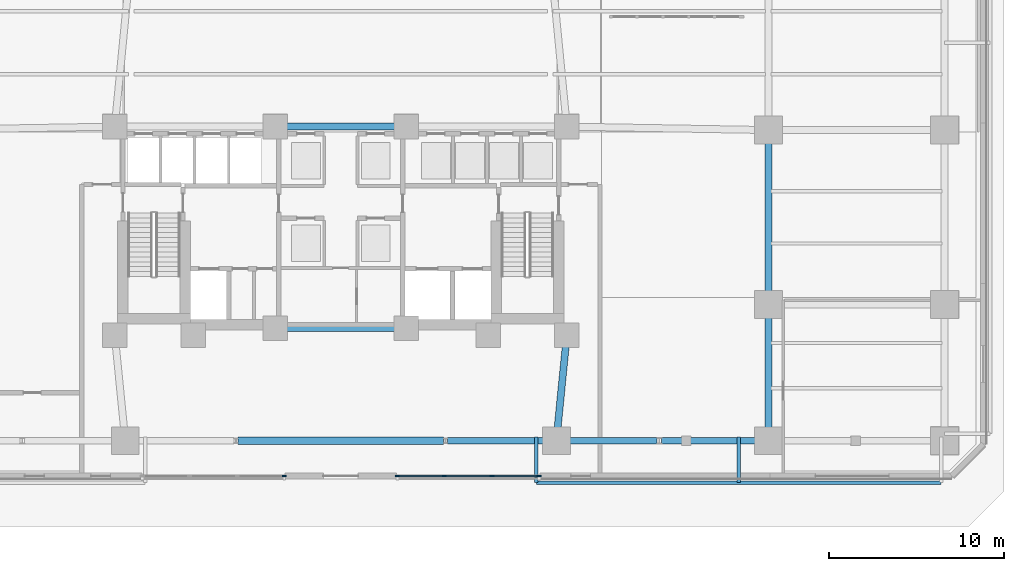
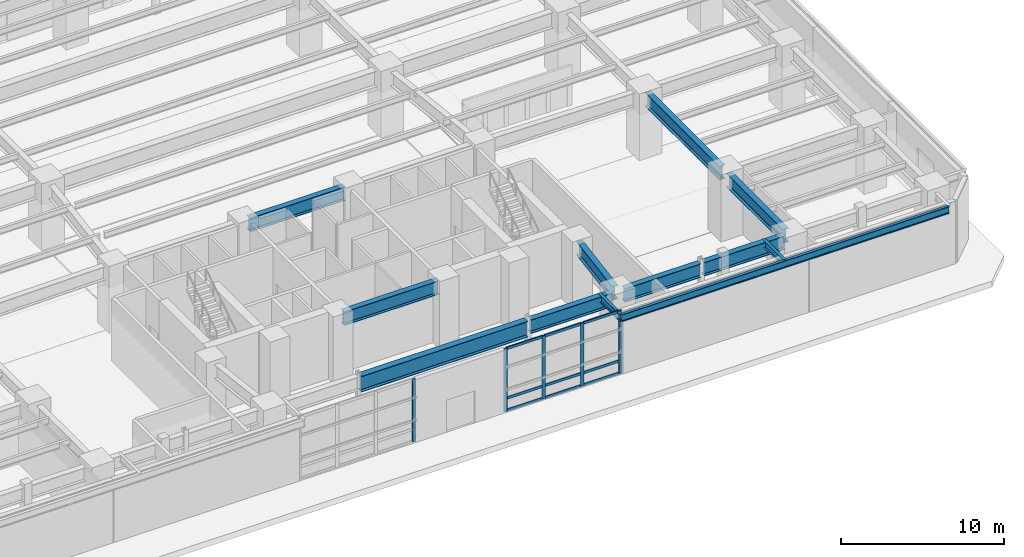
# One storey, part 8 of 26: 14 members, 12 beams, 2 elements without a shape of their own.
"""IFC4 building model written with IfcOpenShell, lengths in metres."""

from ifc_helpers import new_model, si_unit, direction, frame, origin, origin_2d, place, context, subcontext, project, spatial, rectangle, i_section, extrude, material, material_profile, profile_set, type_object, element, aggregate, save


model = new_model("IFC4")

# Units and contexts
model_context = context("Model", 3, precision=1e-05, world=origin(), true_north=direction((0.0, 1.0)))
body_context = subcontext(model_context, "Body", "Model", "MODEL_VIEW")
ifc_project = project(units=[si_unit("LENGTHUNIT", "METRE"), si_unit("AREAUNIT", "SQUARE_METRE"), si_unit("VOLUMEUNIT", "CUBIC_METRE"), si_unit("PLANEANGLEUNIT", "RADIAN"), si_unit("MASSUNIT", "GRAM", prefix="KILO")], contexts=[model_context])

# Site, building, storey
site_placement = place(None, origin())
site = spatial("IfcSite", under=ifc_project, at=site_placement, CompositionType="ELEMENT")
building_placement = place(site_placement, origin())
building = spatial("IfcBuilding", under=site, at=building_placement, Name="Quenlor Broadcast Tower", CompositionType="ELEMENT")
storey_placement = place(building_placement, origin())
storey = spatial("IfcBuildingStorey", under=building, at=storey_placement, Name="L00", CompositionType="ELEMENT", Elevation=0.0)

# Curtain wall, members
ifc_material_1 = material(Name="Architectural Terracotta and Low-E Glazing", Category="masonry")
curtain_wall_type = type_object("IfcCurtainWallType", Name="Station Concourse and Crown Terracotta Curtain Wall", PredefinedType="NOTDEFINED", material=ifc_material_1)
curtain_wall_1_placement = place(storey_placement, origin())
curtain_wall_1 = element("IfcCurtainWall", 1, at=curtain_wall_1_placement, inside=storey, type_object=curtain_wall_type, Name="L00 Curtain Wall CW6 (L00-S-MID)", PredefinedType="NOTDEFINED")
ifc_material_2 = material(Name="Aluminium 6063-T6", Category="aluminium")
ifc_material_profile_1 = material_profile(ifc_material_2, rectangle(XDim=0.08203125, YDim=0.239990234375, at=origin_2d()))
ifc_profile_set_1 = profile_set([ifc_material_profile_1], Name="Aluminium 6063-T6 MULL82x240")
member_type_1 = type_object("IfcMemberType", Name="CW6 Aluminium Mullion MULL_CW6", PredefinedType="MULLION", material=ifc_profile_set_1)
member_1_placement = place(storey_placement, frame((11.35888671875, -24.820068359375, 0.0), z_axis=(0.0, 0.0, 1.0), x_axis=(0.0, -1.0, 0.0)))
member_1 = element("IfcMember", 2, at=member_1_placement, type_object=member_type_1, Name="CW6 mullion 1", PredefinedType="MULLION", context=body_context, shape_type="SweptSolid", body=[
    extrude(rectangle(XDim=0.08203125, YDim=0.239990234375, at=origin_2d()), origin(), (0.0, 0.0, 1.0), 4.699951171875),
])
member_2_placement = place(storey_placement, frame((8.666748046875, -24.820068359375, 0.0), z_axis=(0.0, 0.0, 1.0), x_axis=(0.0, -1.0, 0.0)))
member_2 = element("IfcMember", 3, at=member_2_placement, type_object=member_type_1, Name="CW6 mullion 2", PredefinedType="MULLION", context=body_context, shape_type="SweptSolid", body=[
    extrude(rectangle(XDim=0.08203125, YDim=0.239990234375, at=origin_2d()), origin(), (0.0, 0.0, 1.0), 4.699951171875),
])
member_3_placement = place(storey_placement, frame((5.933349609375, -24.820068359375, 0.0), z_axis=(0.0, 0.0, 1.0), x_axis=(0.0, -1.0, 0.0)))
member_3 = element("IfcMember", 4, at=member_3_placement, type_object=member_type_1, Name="CW6 mullion 3", PredefinedType="MULLION", context=body_context, shape_type="SweptSolid", body=[
    extrude(rectangle(XDim=0.08203125, YDim=0.239990234375, at=origin_2d()), origin(), (0.0, 0.0, 1.0), 4.699951171875),
])
member_4_placement = place(storey_placement, frame((3.240966796875, -24.820068359375, 0.0), z_axis=(0.0, 0.0, 1.0), x_axis=(0.0, -1.0, 0.0)))
member_4 = element("IfcMember", 5, at=member_4_placement, type_object=member_type_1, Name="CW6 mullion 4", PredefinedType="MULLION", context=body_context, shape_type="SweptSolid", body=[
    extrude(rectangle(XDim=0.08203125, YDim=0.239990234375, at=origin_2d()), origin(), (0.0, 0.0, 1.0), 4.699951171875),
])

# Curtain wall, member
curtain_wall_2_placement = place(storey_placement, origin())
curtain_wall_2 = element("IfcCurtainWall", 6, at=curtain_wall_2_placement, inside=storey, type_object=curtain_wall_type, Name="L00 Curtain Wall CW6 (L00-S-MID2)", PredefinedType="NOTDEFINED")
member_5_placement = place(storey_placement, frame((-3.240966796875, -24.820068359375, 0.0), z_axis=(0.0, 0.0, 1.0), x_axis=(0.0, -1.0, 0.0)))
member_5 = element("IfcMember", 7, at=member_5_placement, type_object=member_type_1, Name="CW6 mullion 1", PredefinedType="MULLION", context=body_context, shape_type="SweptSolid", body=[
    extrude(rectangle(XDim=0.08203125, YDim=0.239990234375, at=origin_2d()), origin(), (0.0, 0.0, 1.0), 4.699951171875),
])
aggregate(curtain_wall_2, [member_5])

# Member
ifc_material_3 = material(Name="Aluminium 6063-T6", Category="aluminium")
ifc_material_profile_2 = material_profile(ifc_material_3, rectangle(XDim=0.08203125, YDim=0.195068359375, at=origin_2d()))
ifc_profile_set_2 = profile_set([ifc_material_profile_2], Name="Aluminium 6063-T6 TRAN82x195")
member_type_2 = type_object("IfcMemberType", Name="CW6 Aluminium Transom TRAN_CW6", PredefinedType="USERDEFINED", material=ifc_profile_set_2)
member_6_placement = place(storey_placement, frame((11.318115234375, -24.820068359375, 0.041015625), z_axis=(-1.0, 0.0, 0.0), x_axis=(0.0, -1.0, 0.0)))
member_6 = element("IfcMember", 8, at=member_6_placement, type_object=member_type_2, Name="CW6 transom 1.1", ObjectType="TRANSOM", PredefinedType="USERDEFINED", context=body_context, shape_type="SweptSolid", body=[
    extrude(rectangle(XDim=0.08203125, YDim=0.195068359375, at=origin_2d()), origin(), (0.0, 0.0, 1.0), 2.6103515625),
])

member_7_placement = place(storey_placement, frame((11.318115234375, -24.820068359375, 0.949951171875), z_axis=(-1.0, 0.0, 0.0), x_axis=(0.0, -1.0, 0.0)))
member_7 = element("IfcMember", 9, at=member_7_placement, type_object=member_type_2, Name="CW6 transom 1.2", ObjectType="TRANSOM", PredefinedType="USERDEFINED", context=body_context, shape_type="SweptSolid", body=[
    extrude(rectangle(XDim=0.08203125, YDim=0.195068359375, at=origin_2d()), origin(), (0.0, 0.0, 1.0), 2.6103515625),
])

member_8_placement = place(storey_placement, frame((11.318115234375, -24.820068359375, 4.658935546875), z_axis=(-1.0, 0.0, 0.0), x_axis=(0.0, -1.0, 0.0)))
member_8 = element("IfcMember", 10, at=member_8_placement, type_object=member_type_2, Name="CW6 transom 1.3", ObjectType="TRANSOM", PredefinedType="USERDEFINED", context=body_context, shape_type="SweptSolid", body=[
    extrude(rectangle(XDim=0.08203125, YDim=0.195068359375, at=origin_2d()), origin(), (0.0, 0.0, 1.0), 2.6103515625),
])

member_9_placement = place(storey_placement, frame((8.625732421875, -24.820068359375, 0.041015625), z_axis=(-1.0, 0.0, 0.0), x_axis=(0.0, -1.0, 0.0)))
member_9 = element("IfcMember", 11, at=member_9_placement, type_object=member_type_2, Name="CW6 transom 2.1", ObjectType="TRANSOM", PredefinedType="USERDEFINED", context=body_context, shape_type="SweptSolid", body=[
    extrude(rectangle(XDim=0.08203125, YDim=0.195068359375, at=origin_2d()), origin(), (0.0, 0.0, 1.0), 2.6513671875),
])

member_10_placement = place(storey_placement, frame((8.625732421875, -24.820068359375, 0.949951171875), z_axis=(-1.0, 0.0, 0.0), x_axis=(0.0, -1.0, 0.0)))
member_10 = element("IfcMember", 12, at=member_10_placement, type_object=member_type_2, Name="CW6 transom 2.2", ObjectType="TRANSOM", PredefinedType="USERDEFINED", context=body_context, shape_type="SweptSolid", body=[
    extrude(rectangle(XDim=0.08203125, YDim=0.195068359375, at=origin_2d()), origin(), (0.0, 0.0, 1.0), 2.6513671875),
])

member_11_placement = place(storey_placement, frame((8.625732421875, -24.820068359375, 4.658935546875), z_axis=(-1.0, 0.0, 0.0), x_axis=(0.0, -1.0, 0.0)))
member_11 = element("IfcMember", 13, at=member_11_placement, type_object=member_type_2, Name="CW6 transom 2.3", ObjectType="TRANSOM", PredefinedType="USERDEFINED", context=body_context, shape_type="SweptSolid", body=[
    extrude(rectangle(XDim=0.08203125, YDim=0.195068359375, at=origin_2d()), origin(), (0.0, 0.0, 1.0), 2.6513671875),
])

member_12_placement = place(storey_placement, frame((5.892333984375, -24.820068359375, 0.041015625), z_axis=(-1.0, 0.0, 0.0), x_axis=(0.0, -1.0, 0.0)))
member_12 = element("IfcMember", 14, at=member_12_placement, type_object=member_type_2, Name="CW6 transom 3.1", ObjectType="TRANSOM", PredefinedType="USERDEFINED", context=body_context, shape_type="SweptSolid", body=[
    extrude(rectangle(XDim=0.08203125, YDim=0.195068359375, at=origin_2d()), origin(), (0.0, 0.0, 1.0), 2.6103515625),
])

member_13_placement = place(storey_placement, frame((5.892333984375, -24.820068359375, 0.949951171875), z_axis=(-1.0, 0.0, 0.0), x_axis=(0.0, -1.0, 0.0)))
member_13 = element("IfcMember", 15, at=member_13_placement, type_object=member_type_2, Name="CW6 transom 3.2", ObjectType="TRANSOM", PredefinedType="USERDEFINED", context=body_context, shape_type="SweptSolid", body=[
    extrude(rectangle(XDim=0.08203125, YDim=0.195068359375, at=origin_2d()), origin(), (0.0, 0.0, 1.0), 2.6103515625),
])

member_14_placement = place(storey_placement, frame((5.892333984375, -24.820068359375, 4.658935546875), z_axis=(-1.0, 0.0, 0.0), x_axis=(0.0, -1.0, 0.0)))
member_14 = element("IfcMember", 16, at=member_14_placement, type_object=member_type_2, Name="CW6 transom 3.3", ObjectType="TRANSOM", PredefinedType="USERDEFINED", context=body_context, shape_type="SweptSolid", body=[
    extrude(rectangle(XDim=0.08203125, YDim=0.195068359375, at=origin_2d()), origin(), (0.0, 0.0, 1.0), 2.6103515625),
])

aggregate(curtain_wall_1, [member_1, member_2, member_3, member_4, member_6, member_7, member_8, member_9, member_10, member_11, member_12, member_13, member_14])

# Beams
ifc_material_4 = material(Name="Steel S355", Category="steel")
ifc_material_profile_3 = material_profile(ifc_material_4, i_section(OverallWidth=0.208984375, OverallDepth=0.532958984375, WebThickness=0.01025390625, FlangeThickness=0.015625, FilletRadius=0.013916015625, at=origin_2d()))
ifc_profile_set_3 = profile_set([ifc_material_profile_3], Name="Steel S355 530UB92.4")
beam_type_1 = type_object("IfcBeamType", Name="Perimeter Spandrel Beam Z1 Steel S355 530UB92.4", PredefinedType="SPANDREL", material=ifc_profile_set_3)
for number, where, z_axis, x_axis, name in (
    (17, (11.199951171875, -22.5849609375, 4.43359375), (0.0, -1.0, 0.0), (1.0, 0.0, 0.0), "L00 Podium Lattice Sill Tie SE2"),
    (18, (22.800048828125, -22.5849609375, 4.43359375), (0.0, -1.0, 0.0), (1.0, 0.0, 0.0), "L00 Podium Lattice Sill Tie SE3"),
):
    element("IfcBeam", number, at=place(storey_placement, frame(where, z_axis=z_axis, x_axis=x_axis)), inside=storey, type_object=beam_type_1, Name=name, PredefinedType="SPANDREL", context=body_context, shape_type="SweptSolid", body=[
        extrude(i_section(OverallWidth=0.208984375, OverallDepth=0.532958984375, WebThickness=0.01025390625, FlangeThickness=0.015625, FilletRadius=0.013916015625, at=origin_2d()), origin(), (0.0, 0.0, 1.0), 2.610107421875),
    ])
beam_1_placement = place(storey_placement, frame((34.3798828125, -25.215087890625, 4.43359375), z_axis=(-1.0, 0.0, 0.0), x_axis=(0.0, -1.0, 0.0)))
element("IfcBeam", 19, at=beam_1_placement, inside=storey, type_object=beam_type_1, Name="L00 Podium Lattice Sill Girder SE", PredefinedType="SPANDREL", context=body_context, shape_type="SweptSolid", body=[
    extrude(i_section(OverallWidth=0.208984375, OverallDepth=0.532958984375, WebThickness=0.01025390625, FlangeThickness=0.015625, FilletRadius=0.013916015625, at=origin_2d()), origin(), (0.0, 0.0, 1.0), 23.159912109375),
])
ifc_material_5 = material(Name="Steel S355", Category="steel")
ifc_material_profile_4 = material_profile(ifc_material_5, i_section(OverallWidth=0.39990234375, OverallDepth=1.02392578125, WebThickness=0.01611328125, FlangeThickness=0.031982421875, FilletRadius=0.01611328125, at=origin_2d()))
ifc_profile_set_4 = profile_set([ifc_material_profile_4], Name="Steel S355 1000WB322")
beam_type_2 = type_object("IfcBeamType", Name="Podium Concourse Girder Steel S355 1000WB322", PredefinedType="BEAM", material=ifc_profile_set_4)
beam_2_placement = place(storey_placement, frame((6.10791015625, -22.800048828125, 4.18798828125), z_axis=(1.0, 0.0, 0.0), x_axis=(0.0, 1.0, 0.0)))
element("IfcBeam", 20, at=beam_2_placement, inside=storey, type_object=beam_type_2, Name="L00 Podium Girder 6", PredefinedType="BEAM", context=body_context, shape_type="SweptSolid", body=[
    extrude(i_section(OverallWidth=0.39990234375, OverallDepth=1.02392578125, WebThickness=0.01611328125, FlangeThickness=0.031982421875, FilletRadius=0.01611328125, at=origin_2d()), origin(), (0.0, 0.0, 1.0), 5.822021484375),
])
beam_3_placement = place(storey_placement, frame((12.77001953125, -22.800048828125, 4.18798828125), z_axis=(1.0, 0.0, 0.0), x_axis=(0.0, 1.0, 0.0)))
element("IfcBeam", 21, at=beam_3_placement, inside=storey, type_object=beam_type_2, Name="L00 Podium Girder 7", PredefinedType="BEAM", context=body_context, shape_type="SweptSolid", body=[
    extrude(i_section(OverallWidth=0.39990234375, OverallDepth=1.02392578125, WebThickness=0.01611328125, FlangeThickness=0.031982421875, FilletRadius=0.01611328125, at=origin_2d()), origin(), (0.0, 0.0, 1.0), 5.345458984375),
])
beam_4_placement = place(storey_placement, frame((18.384521484375, -22.800048828125, 4.18798828125), z_axis=(1.0, 0.0, 0.0), x_axis=(0.0, 1.0, 0.0)))
element("IfcBeam", 22, at=beam_4_placement, inside=storey, type_object=beam_type_2, Name="L00 Podium Girder 8", PredefinedType="BEAM", context=body_context, shape_type="SweptSolid", body=[
    extrude(i_section(OverallWidth=0.39990234375, OverallDepth=1.02392578125, WebThickness=0.01611328125, FlangeThickness=0.031982421875, FilletRadius=0.01611328125, at=origin_2d()), origin(), (0.0, 0.0, 1.0), 5.695556640625),
])
beam_5_placement = place(storey_placement, frame((24.5, -22.3798828125, 4.18798828125), z_axis=(0.0, 1.0, 0.0), x_axis=(-1.0, 0.0, 0.0)))
element("IfcBeam", 23, at=beam_5_placement, inside=storey, type_object=beam_type_2, Name="L00 Podium Girder 44", PredefinedType="BEAM", context=body_context, shape_type="SweptSolid", body=[
    extrude(i_section(OverallWidth=0.39990234375, OverallDepth=1.02392578125, WebThickness=0.01611328125, FlangeThickness=0.031982421875, FilletRadius=0.01611328125, at=origin_2d()), origin(), (0.0, 0.0, 1.0), 6.9599609375),
])
beam_6_placement = place(storey_placement, frame((24.5, -14.580078125, 4.18798828125), z_axis=(0.0, 1.0, 0.0), x_axis=(-1.0, 0.0, 0.0)))
element("IfcBeam", 24, at=beam_6_placement, inside=storey, type_object=beam_type_2, Name="L00 Podium Girder 45", PredefinedType="BEAM", context=body_context, shape_type="SweptSolid", body=[
    extrude(i_section(OverallWidth=0.39990234375, OverallDepth=1.02392578125, WebThickness=0.01611328125, FlangeThickness=0.031982421875, FilletRadius=0.01611328125, at=origin_2d()), origin(), (0.0, 0.0, 1.0), 9.16015625),
])
beam_7_placement = place(storey_placement, frame((12.91259765625, -17.128173828125, 4.18798828125), z_axis=(-0.098717586069, -0.995115489881, 0.0), x_axis=(0.995115489881, -0.098717586069, 0.0)))
element("IfcBeam", 25, at=beam_7_placement, inside=storey, type_object=beam_type_2, Name="L00 Podium Concourse Girder 4", PredefinedType="BEAM", context=body_context, shape_type="SweptSolid", body=[
    extrude(i_section(OverallWidth=0.39990234375, OverallDepth=1.02392578125, WebThickness=0.01611328125, FlangeThickness=0.031982421875, FilletRadius=0.01611328125, at=origin_2d()), origin(), (0.0, 0.0, 1.0), 5.319580078125),
])
for number, where, z_axis, x_axis, name in (
    (26, (-3.3701171875, -4.800048828125, 4.18798828125), (1.0, 0.0, 0.0), (0.0, 1.0, 0.0), "L00 Podium Concourse Girder 7"),
    (27, (-3.3701171875, -16.35009765625, 4.18798828125), (1.0, 0.0, 0.0), (0.0, 1.0, 0.0), "L00 Podium Concourse Girder 8"),
):
    element("IfcBeam", number, at=place(storey_placement, frame(where, z_axis=z_axis, x_axis=x_axis)), inside=storey, type_object=beam_type_2, Name=name, PredefinedType="BEAM", context=body_context, shape_type="SweptSolid", body=[
        extrude(i_section(OverallWidth=0.39990234375, OverallDepth=1.02392578125, WebThickness=0.01611328125, FlangeThickness=0.031982421875, FilletRadius=0.01611328125, at=origin_2d()), origin(), (0.0, 0.0, 1.0), 6.740234375),
    ])
ifc_material_6 = material(Name="Steel S355", Category="steel")
ifc_material_profile_5 = material_profile(ifc_material_6, i_section(OverallWidth=0.449951171875, OverallDepth=1.18798828125, WebThickness=0.01806640625, FlangeThickness=0.031982421875, FilletRadius=0.01611328125, at=origin_2d()))
ifc_profile_set_5 = profile_set([ifc_material_profile_5], Name="Steel S355 1200WB392")
beam_type_3 = type_object("IfcBeamType", Name="Podium Secondary Studio Girder Steel S355 1200WB392", PredefinedType="BEAM", material=ifc_profile_set_5)
beam_8_placement = place(storey_placement, frame((-5.89208984375, -22.800048828125, 4.10595703125), z_axis=(1.0, 0.0, 0.0), x_axis=(0.0, 1.0, 0.0)))
element("IfcBeam", 28, at=beam_8_placement, inside=storey, type_object=beam_type_3, Name="L00 Podium Girder 5", PredefinedType="BEAM", context=body_context, shape_type="SweptSolid", body=[
    extrude(i_section(OverallWidth=0.449951171875, OverallDepth=1.18798828125, WebThickness=0.01806640625, FlangeThickness=0.031982421875, FilletRadius=0.01611328125, at=origin_2d()), origin(), (0.0, 0.0, 1.0), 11.7841796875),
])

save(model, "model.ifc")
